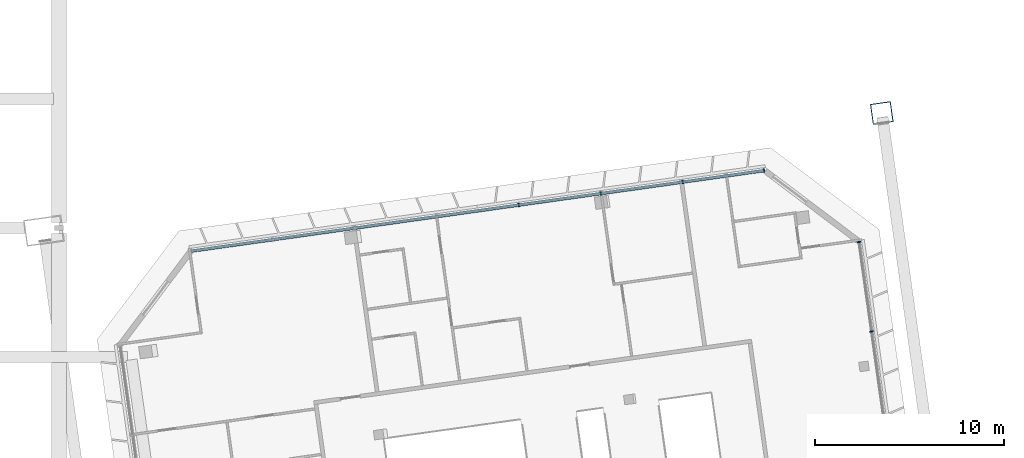
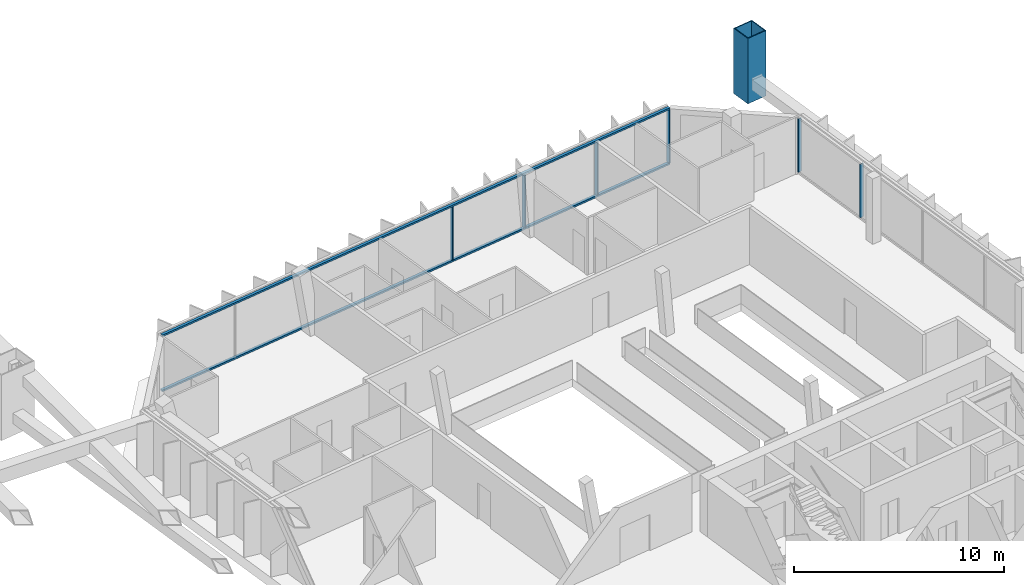
# One storey, part 18 of 36: 9 members, 2 elements without a shape of their own.
"""IFC4 building model written with IfcOpenShell, lengths in metres."""

from ifc_helpers import new_model, si_unit, direction, frame, origin, origin_2d, place, context, subcontext, project, spatial, rectangle, hollow_rectangle, extrude, material, material_profile, profile_set, type_object, element, aggregate, save


model = new_model("IFC4")

# Units and contexts
model_context = context("Model", 3, precision=1e-05, world=origin(), true_north=direction((0.0, 1.0)))
body_context = subcontext(model_context, "Body", "Model", "MODEL_VIEW")
ifc_project = project(units=[si_unit("LENGTHUNIT", "METRE"), si_unit("AREAUNIT", "SQUARE_METRE"), si_unit("VOLUMEUNIT", "CUBIC_METRE"), si_unit("PLANEANGLEUNIT", "RADIAN"), si_unit("MASSUNIT", "GRAM", prefix="KILO")], contexts=[model_context])

# Site, building, storey
site_placement = place(None, origin())
site = spatial("IfcSite", under=ifc_project, at=site_placement, CompositionType="ELEMENT")
building_placement = place(site_placement, origin())
building = spatial("IfcBuilding", under=site, at=building_placement, Name="Mirante Cascada Hotel Towers", CompositionType="ELEMENT")
storey_placement = place(building_placement, frame((0.0, 0.0, 254.6)))
storey = spatial("IfcBuildingStorey", under=building, at=storey_placement, Name="L61", CompositionType="ELEMENT", Elevation=254.6)

# Member
ifc_material_1 = material(Name="Steel ASTM A572 Gr 50", Category="steel")
ifc_material_profile_1 = material_profile(ifc_material_1, hollow_rectangle(XDim=1.1, YDim=1.1, WallThickness=0.05, at=origin_2d()), Name="Box post 1100x1100x50 ASTM A572 Gr 50")
ifc_profile_set_1 = profile_set([ifc_material_profile_1], Name="Steel ASTM A572 Gr 50")
member_type_1 = type_object("IfcMemberType", Name="Box post 1100x1100x50 ASTM A572 Gr 50", PredefinedType="POST", material=ifc_profile_set_1)
member_1_placement = place(storey_placement, frame((55.7951, 22.8316, 0.0), z_axis=(0.0, 0.0, 1.0), x_axis=(0.9902681, 0.1391731, 0.0)))
element("IfcMember", 1, at=member_1_placement, inside=storey, type_object=member_type_1, Name="Mega column MP3 T2 L61", PredefinedType="POST", context=body_context, shape_type="SweptSolid", body=[
    extrude(hollow_rectangle(XDim=1.1, YDim=1.1, WallThickness=0.05, at=origin_2d()), origin(), (0.0, 0.0, 1.0), 3.8),
])

# Curtain wall, members
ifc_material_2 = material(Name="Aluminium mullion and transom frame with clear laminated glass", Category="aluminium")
curtain_wall_type_1 = type_object("IfcCurtainWallType", Name="Ribbon curtain wall ECW1", PredefinedType="NOTDEFINED", material=ifc_material_2)
curtain_wall_1_placement = place(storey_placement, origin())
curtain_wall_1 = element("IfcCurtainWall", 2, at=curtain_wall_1_placement, inside=storey, type_object=curtain_wall_type_1, Name="Front ribbon wall T2 L61", PredefinedType="NOTDEFINED")
ifc_material_3 = material(Name="Anodised aluminium extrusion", Category="aluminium")
ifc_material_profile_2 = material_profile(ifc_material_3, rectangle(XDim=0.2, YDim=0.065, at=origin_2d()), Name="ECW1 MULLION 65x200")
ifc_profile_set_2 = profile_set([ifc_material_profile_2], Name="Anodised aluminium extrusion")
member_type_2 = type_object("IfcMemberType", Name="ECW1 mullion 65x200", PredefinedType="MULLION", material=ifc_profile_set_2)
member_2_placement = place(storey_placement, frame((49.5639, 19.7848, 0.1), z_axis=(0.0, 0.0, 1.0), x_axis=(0.1391731, -0.9902681, 0.0)))
member_2 = element("IfcMember", 3, at=member_2_placement, type_object=member_type_2, Name="ECW1 mullion 1", PredefinedType="MULLION", context=body_context, shape_type="SweptSolid", body=[
    extrude(rectangle(XDim=0.2, YDim=0.065, at=origin_2d()), origin(), (0.0, 0.0, 1.0), 3.1),
])
member_3_placement = place(storey_placement, frame((45.2582, 19.1797, 0.1), z_axis=(0.0, 0.0, 1.0), x_axis=(0.1391731, -0.9902681, 0.0)))
member_3 = element("IfcMember", 4, at=member_3_placement, type_object=member_type_2, Name="ECW1 mullion 2", PredefinedType="MULLION", context=body_context, shape_type="SweptSolid", body=[
    extrude(rectangle(XDim=0.2, YDim=0.065, at=origin_2d()), origin(), (0.0, 0.0, 1.0), 3.1),
])
member_4_placement = place(storey_placement, frame((40.9203, 18.57, 0.1), z_axis=(0.0, 0.0, 1.0), x_axis=(0.1391731, -0.9902681, 0.0)))
member_4 = element("IfcMember", 5, at=member_4_placement, type_object=member_type_2, Name="ECW1 mullion 3", PredefinedType="MULLION", context=body_context, shape_type="SweptSolid", body=[
    extrude(rectangle(XDim=0.2, YDim=0.065, at=origin_2d()), origin(), (0.0, 0.0, 1.0), 3.1),
])
member_5_placement = place(storey_placement, frame((36.5824, 17.9604, 0.1), z_axis=(0.0, 0.0, 1.0), x_axis=(0.1391731, -0.9902681, 0.0)))
member_5 = element("IfcMember", 6, at=member_5_placement, type_object=member_type_2, Name="ECW1 mullion 4", PredefinedType="MULLION", context=body_context, shape_type="SweptSolid", body=[
    extrude(rectangle(XDim=0.2, YDim=0.065, at=origin_2d()), origin(), (0.0, 0.0, 1.0), 3.1),
])
ifc_material_4 = material(Name="Anodised aluminium extrusion", Category="aluminium")
ifc_material_profile_3 = material_profile(ifc_material_4, rectangle(XDim=0.16, YDim=0.1, at=origin_2d()), Name="ECW1 TRANSOM 100x160")
ifc_profile_set_3 = profile_set([ifc_material_profile_3], Name="Anodised aluminium extrusion")
member_type_3 = type_object("IfcMemberType", Name="ECW1 transom 100x160", PredefinedType="USERDEFINED", material=ifc_profile_set_3)
member_6_placement = place(storey_placement, frame((49.5961, 19.7893, 0.05), z_axis=(-0.9902683, -0.1391715, 0.0), x_axis=(0.1391715, -0.9902683, 0.0)))
member_6 = element("IfcMember", 7, at=member_6_placement, type_object=member_type_3, Name="ECW1 sill transom", ObjectType="TRANSOM", PredefinedType="USERDEFINED", context=body_context, shape_type="SweptSolid", body=[
    extrude(rectangle(XDim=0.16, YDim=0.1, at=origin_2d()), origin(), (0.0, 0.0, 1.0), 30.6636),
])
member_7_placement = place(storey_placement, frame((49.5961, 19.7893, 3.25), z_axis=(-0.9902683, -0.1391715, 0.0), x_axis=(0.1391715, -0.9902683, 0.0)))
member_7 = element("IfcMember", 8, at=member_7_placement, type_object=member_type_3, Name="ECW1 head transom", ObjectType="TRANSOM", PredefinedType="USERDEFINED", context=body_context, shape_type="SweptSolid", body=[
    extrude(rectangle(XDim=0.16, YDim=0.1, at=origin_2d()), origin(), (0.0, 0.0, 1.0), 30.6636),
])
aggregate(curtain_wall_1, [member_6, member_7, member_2, member_3, member_4, member_5])

ifc_material_5 = material(Name="Aluminium mullion and transom frame with clear laminated glass", Category="aluminium")
curtain_wall_type_2 = type_object("IfcCurtainWallType", Name="End ribbon curtain wall ECW2", PredefinedType="NOTDEFINED", material=ifc_material_5)
curtain_wall_2_placement = place(storey_placement, origin())
curtain_wall_2 = element("IfcCurtainWall", 9, at=curtain_wall_2_placement, inside=storey, type_object=curtain_wall_type_2, Name="Outer end wall T2 L61", PredefinedType="NOTDEFINED")
ifc_material_6 = material(Name="Anodised aluminium extrusion", Category="aluminium")
ifc_material_profile_4 = material_profile(ifc_material_6, rectangle(XDim=0.2, YDim=0.065, at=origin_2d()), Name="ECW2 MULLION 65x200")
ifc_profile_set_4 = profile_set([ifc_material_profile_4], Name="Anodised aluminium extrusion")
member_type_4 = type_object("IfcMemberType", Name="ECW2 mullion 65x200", PredefinedType="MULLION", material=ifc_profile_set_4)
member_8_placement = place(storey_placement, frame((55.2491, 11.2684, 0.1), z_axis=(0.0, 0.0, 1.0), x_axis=(-0.9902681, -0.1391731, 0.0)))
member_8 = element("IfcMember", 10, at=member_8_placement, type_object=member_type_4, Name="ECW2 mullion 6", PredefinedType="MULLION", context=body_context, shape_type="SweptSolid", body=[
    extrude(rectangle(XDim=0.2, YDim=0.065, at=origin_2d()), origin(), (0.0, 0.0, 1.0), 3.1),
])
member_9_placement = place(storey_placement, frame((54.5839, 16.002, 0.1), z_axis=(0.0, 0.0, 1.0), x_axis=(-0.9902681, -0.1391731, 0.0)))
member_9 = element("IfcMember", 11, at=member_9_placement, type_object=member_type_4, Name="ECW2 mullion 7", PredefinedType="MULLION", context=body_context, shape_type="SweptSolid", body=[
    extrude(rectangle(XDim=0.2, YDim=0.065, at=origin_2d()), origin(), (0.0, 0.0, 1.0), 3.1),
])
aggregate(curtain_wall_2, [member_8, member_9])

save(model, "model.ifc")
